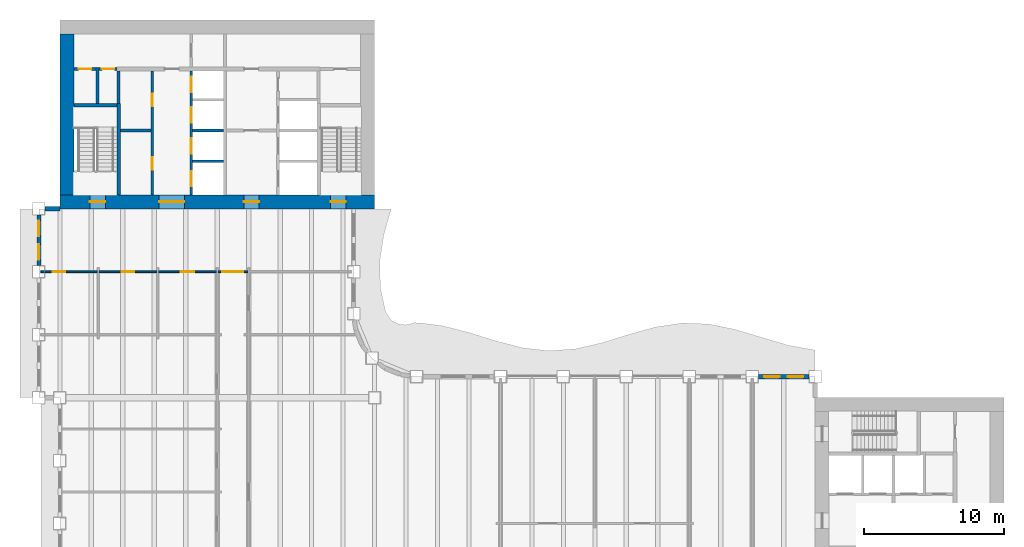
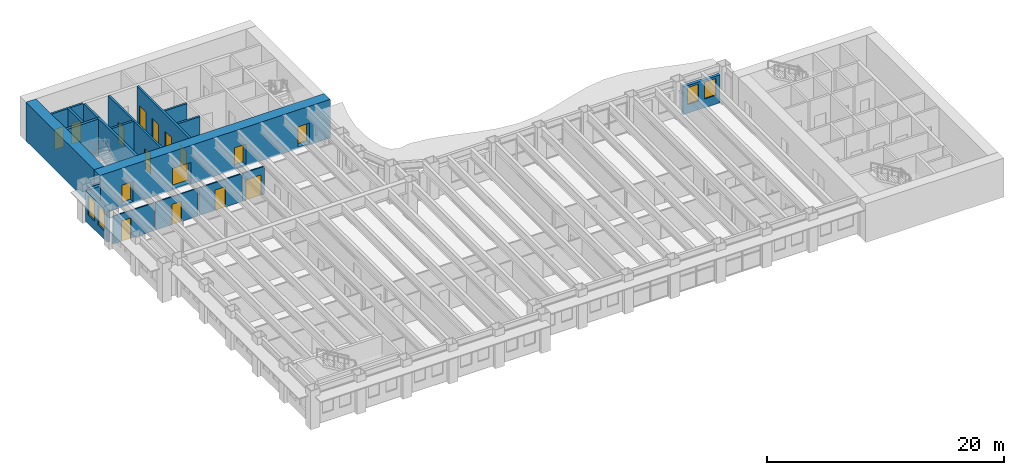
# One storey, part 9 of 17: 20 walls, 16 doors, 4 windows, 20 openings.
"""IFC4 building model written with IfcOpenShell, lengths in metres."""

from ifc_helpers import new_model, si_unit, direction, frame, frame_2d, origin, place, context, subcontext, project, spatial, rectangle, extrude, material, layer, layer_set, type_object, element, fill, save


model = new_model("IFC4")

# Units and contexts
model_context = context("Model", 3, precision=1e-05, world=origin(), true_north=direction((0.0, 1.0)))
body_context = subcontext(model_context, "Body", "Model", "MODEL_VIEW")
ifc_project = project(units=[si_unit("LENGTHUNIT", "METRE"), si_unit("AREAUNIT", "SQUARE_METRE"), si_unit("VOLUMEUNIT", "CUBIC_METRE"), si_unit("PLANEANGLEUNIT", "RADIAN"), si_unit("MASSUNIT", "GRAM", prefix="KILO")], contexts=[model_context])

# Site, building, storey
site_placement = place(None, origin())
site = spatial("IfcSite", under=ifc_project, at=site_placement, CompositionType="ELEMENT")
building_placement = place(site_placement, origin())
building = spatial("IfcBuilding", under=site, at=building_placement, Name="Sennacour Bend Tower", CompositionType="ELEMENT")
storey_placement = place(building_placement, frame((0.0, 0.0, 151.0)))
storey = spatial("IfcBuildingStorey", under=building, at=storey_placement, Name="L34", CompositionType="ELEMENT", Elevation=151.0)

# Wall, openings, doors
ifc_material_1 = material(Name="Concrete C60/75", Category="concrete")
ifc_layer_1 = layer(ifc_material_1, 1.0, Name="Concrete C60/75", Category="concrete")
ifc_layer_set_1 = layer_set([ifc_layer_1], Name="Concrete C60/75")
wall_type_1 = type_object("IfcWallType", Name="Core wall 1000 C60/75", PredefinedType="SHEAR", material=ifc_layer_set_1)
wall_1_placement = place(storey_placement, frame((0.0, 36.5, -0.14990234375), z_axis=(0.0, 0.0, 1.0), x_axis=(1.0, 0.0, 0.0)))
wall_1 = element("IfcWall", 1, at=wall_1_placement, inside=storey, type_object=wall_type_1, Name="Core B wall L34 S", PredefinedType="SHEAR", context=body_context, shape_type="SweptSolid", body=[
    extrude(rectangle(XDim=22.5, YDim=1.0, at=frame_2d((11.25, 0.0))), origin(), (0.0, 0.0, 1.0), 4.0),
])
opening_1_placement = place(wall_1_placement, frame((7.10009765625, 0.0, 0.14990234375)))
opening_1 = element("IfcOpeningElement", 2, at=opening_1_placement, cuts=wall_1, Name="Opening CD", PredefinedType="OPENING", context=body_context, shape_type="SweptSolid", body=[
    extrude(rectangle(XDim=1.800048828125, YDim=2.10009765625, at=frame_2d((0.89990234375, 1.050048828125))), frame((0.0, 0.510009765625, 0.0), z_axis=(0.0, -1.0, 0.0), x_axis=(1.0, 0.0, 0.0)), (0.0, 0.0, 1.0), 1.02001953125),
])
opening_2_placement = place(wall_1_placement, frame((13.14990234375, 0.0, 0.14990234375)))
opening_2 = element("IfcOpeningElement", 3, at=opening_2_placement, cuts=wall_1, Name="Opening FD", PredefinedType="OPENING", context=body_context, shape_type="SweptSolid", body=[
    extrude(rectangle(XDim=1.10009765625, YDim=2.10009765625, at=frame_2d((0.550048828125, 1.050048828125))), frame((0.0, 0.510009765625, 0.0), z_axis=(0.0, -1.0, 0.0), x_axis=(1.0, 0.0, 0.0)), (0.0, 0.0, 1.0), 1.02001953125),
])
opening_3_placement = place(wall_1_placement, frame((2.14990234375, 0.0, 0.14990234375)))
opening_3 = element("IfcOpeningElement", 4, at=opening_3_placement, cuts=wall_1, Name="Opening SD", PredefinedType="OPENING", context=body_context, shape_type="SweptSolid", body=[
    extrude(rectangle(XDim=1.10009765625, YDim=2.10009765625, at=frame_2d((0.550048828125, 1.050048828125))), frame((0.0, 0.510009765625, 0.0), z_axis=(0.0, -1.0, 0.0), x_axis=(1.0, 0.0, 0.0)), (0.0, 0.0, 1.0), 1.02001953125),
])
opening_4_placement = place(wall_1_placement, frame((19.35009765625, 0.0, 0.14990234375)))
opening_4 = element("IfcOpeningElement", 5, at=opening_4_placement, cuts=wall_1, Name="Opening SD", PredefinedType="OPENING", context=body_context, shape_type="SweptSolid", body=[
    extrude(rectangle(XDim=1.10009765625, YDim=2.10009765625, at=frame_2d((0.550048828125, 1.050048828125))), frame((0.0, 0.510009765625, 0.0), z_axis=(0.0, -1.0, 0.0), x_axis=(1.0, 0.0, 0.0)), (0.0, 0.0, 1.0), 1.02001953125),
])
ifc_material_2 = material(Name="Painted steel", Category="steel")
door_type_1 = type_object("IfcDoorType", Name="DR-FFL-1100", OperationType="NOTDEFINED", PredefinedType="DOOR", material=ifc_material_2)
door_1_placement = place(opening_2_placement, origin())
door_1 = element("IfcDoor", 6, at=door_1_placement, inside=storey, type_object=door_type_1, Name="Door", OperationType="SINGLE_SWING_RIGHT", OverallHeight=2.10009765625, OverallWidth=1.10009765625, PredefinedType="DOOR", context=body_context, shape_type="SweptSolid", body=[
    extrude(rectangle(XDim=1.10009765625, YDim=2.10009765625, at=frame_2d((0.550048828125, 1.050048828125))), frame((0.0, 0.02490234375, 0.0), z_axis=(0.0, -1.0, 0.0), x_axis=(1.0, 0.0, 0.0)), (0.0, 0.0, 1.0), 0.050048828125),
])
fill(opening_2, door_1)
door_type_2 = type_object("IfcDoorType", Name="DR-LOBBY-1800", OperationType="NOTDEFINED", PredefinedType="DOOR", material=ifc_material_2)
door_2_placement = place(opening_1_placement, origin())
door_2 = element("IfcDoor", 7, at=door_2_placement, inside=storey, type_object=door_type_2, Name="Door", OperationType="DOUBLE_DOOR_SINGLE_SWING", OverallHeight=2.10009765625, OverallWidth=1.800048828125, PredefinedType="DOOR", context=body_context, shape_type="SweptSolid", body=[
    extrude(rectangle(XDim=1.800048828125, YDim=2.10009765625, at=frame_2d((0.89990234375, 1.050048828125))), frame((0.0, 0.02490234375, 0.0), z_axis=(0.0, -1.0, 0.0), x_axis=(1.0, 0.0, 0.0)), (0.0, 0.0, 1.0), 0.050048828125),
])
fill(opening_1, door_2)
door_type_3 = type_object("IfcDoorType", Name="DR-STAIR-1100", OperationType="NOTDEFINED", PredefinedType="DOOR", material=ifc_material_2)
door_3_placement = place(opening_3_placement, origin())
door_3 = element("IfcDoor", 8, at=door_3_placement, inside=storey, type_object=door_type_3, Name="Door", OperationType="SINGLE_SWING_LEFT", OverallHeight=2.10009765625, OverallWidth=1.10009765625, PredefinedType="DOOR", context=body_context, shape_type="SweptSolid", body=[
    extrude(rectangle(XDim=1.10009765625, YDim=2.10009765625, at=frame_2d((0.550048828125, 1.050048828125))), frame((0.0, 0.02490234375, 0.0), z_axis=(0.0, -1.0, 0.0), x_axis=(1.0, 0.0, 0.0)), (0.0, 0.0, 1.0), 0.050048828125),
])
fill(opening_3, door_3)
door_4_placement = place(opening_4_placement, origin())
door_4 = element("IfcDoor", 9, at=door_4_placement, inside=storey, type_object=door_type_3, Name="Door", OperationType="SINGLE_SWING_RIGHT", OverallHeight=2.10009765625, OverallWidth=1.10009765625, PredefinedType="DOOR", context=body_context, shape_type="SweptSolid", body=[
    extrude(rectangle(XDim=1.10009765625, YDim=2.10009765625, at=frame_2d((0.550048828125, 1.050048828125))), frame((0.0, 0.02490234375, 0.0), z_axis=(0.0, -1.0, 0.0), x_axis=(1.0, 0.0, 0.0)), (0.0, 0.0, 1.0), 0.050048828125),
])
fill(opening_4, door_4)

# Wall
wall_2_placement = place(storey_placement, frame((0.5, 37.0, -0.14990234375), z_axis=(0.0, 0.0, 1.0), x_axis=(0.0, 1.0, 0.0)))
element("IfcWall", 10, at=wall_2_placement, inside=storey, type_object=wall_type_1, Name="Core B wall L34 W", PredefinedType="SHEAR", context=body_context, shape_type="SweptSolid", body=[
    extrude(rectangle(XDim=11.5, YDim=1.0, at=frame_2d((5.75, 0.0))), origin(), (0.0, 0.0, 1.0), 4.0),
])

# Wall, opening, door
ifc_material_3 = material(Name="Plasterboard partition on steel studs", Category="steel")
ifc_layer_2 = layer(ifc_material_3, 0.1201171875, Name="Plasterboard partition on steel studs", Category="steel")
ifc_layer_set_2 = layer_set([ifc_layer_2], Name="Plasterboard partition on steel studs")
wall_type_2 = type_object("IfcWallType", Name="Partition 120", PredefinedType="PARTITIONING", material=ifc_layer_set_2)
wall_3_placement = place(storey_placement, frame((-1.35009765625, 31.5, 0.0), z_axis=(0.0, 0.0, 1.0), x_axis=(1.0, 0.0, 0.0)))
wall_3 = element("IfcWall", 11, at=wall_3_placement, inside=storey, type_object=wall_type_2, Name="P-L34-W075aa", PredefinedType="PARTITIONING", context=body_context, shape_type="SweptSolid", body=[
    extrude(rectangle(XDim=4.0400390625, YDim=0.1201171875, at=frame_2d((2.02001953125, 0.0))), origin(), (0.0, 0.0, 1.0), 2.8701171875),
])
opening_5_placement = place(wall_3_placement, frame((0.85009765625, 0.0, 0.0)))
opening_5 = element("IfcOpeningElement", 12, at=opening_5_placement, cuts=wall_3, Name="Opening WD", PredefinedType="OPENING", context=body_context, shape_type="SweptSolid", body=[
    extrude(rectangle(XDim=0.89990234375, YDim=2.10009765625, at=frame_2d((0.449951171875, 1.050048828125))), frame((0.0, 0.070068359375, 0.0), z_axis=(0.0, -1.0, 0.0), x_axis=(1.0, 0.0, 0.0)), (0.0, 0.0, 1.0), 0.14013671875),
])
ifc_material_4 = material(Name="Timber", Category="wood")
door_type_4 = type_object("IfcDoorType", Name="DR-WC-900", OperationType="NOTDEFINED", PredefinedType="DOOR", material=ifc_material_4)
door_5_placement = place(opening_5_placement, origin())
door_5 = element("IfcDoor", 13, at=door_5_placement, inside=storey, type_object=door_type_4, Name="Door", OperationType="SINGLE_SWING_LEFT", OverallHeight=2.10009765625, OverallWidth=0.89990234375, PredefinedType="DOOR", context=body_context, shape_type="SweptSolid", body=[
    extrude(rectangle(XDim=0.89990234375, YDim=2.10009765625, at=frame_2d((0.449951171875, 1.050048828125))), frame((0.0, 0.02490234375, 0.0), z_axis=(0.0, -1.0, 0.0), x_axis=(1.0, 0.0, 0.0)), (0.0, 0.0, 1.0), 0.050048828125),
])
fill(opening_5, door_5)

wall_4_placement = place(storey_placement, frame((2.81005859375, 31.5, 0.0), z_axis=(0.0, 0.0, 1.0), x_axis=(1.0, 0.0, 0.0)))
wall_4 = element("IfcWall", 14, at=wall_4_placement, inside=storey, type_object=wall_type_2, Name="P-L34-W075ab", PredefinedType="PARTITIONING", context=body_context, shape_type="SweptSolid", body=[
    extrude(rectangle(XDim=4.1298828125, YDim=0.1201171875, at=frame_2d((2.06494140625, 0.0))), origin(), (0.0, 0.0, 1.0), 2.8701171875),
])
opening_6_placement = place(wall_4_placement, frame((1.614990234375, 0.0, 0.0)))
opening_6 = element("IfcOpeningElement", 15, at=opening_6_placement, cuts=wall_4, Name="Opening WD", PredefinedType="OPENING", context=body_context, shape_type="SweptSolid", body=[
    extrude(rectangle(XDim=0.89990234375, YDim=2.10009765625, at=frame_2d((0.449951171875, 1.050048828125))), frame((0.0, 0.070068359375, 0.0), z_axis=(0.0, -1.0, 0.0), x_axis=(1.0, 0.0, 0.0)), (0.0, 0.0, 1.0), 0.14013671875),
])
door_6_placement = place(opening_6_placement, origin())
door_6 = element("IfcDoor", 16, at=door_6_placement, inside=storey, type_object=door_type_4, Name="Door", OperationType="SINGLE_SWING_LEFT", OverallHeight=2.10009765625, OverallWidth=0.89990234375, PredefinedType="DOOR", context=body_context, shape_type="SweptSolid", body=[
    extrude(rectangle(XDim=0.89990234375, YDim=2.10009765625, at=frame_2d((0.449951171875, 1.050048828125))), frame((0.0, 0.02490234375, 0.0), z_axis=(0.0, -1.0, 0.0), x_axis=(1.0, 0.0, 0.0)), (0.0, 0.0, 1.0), 0.050048828125),
])
fill(opening_6, door_6)

wall_5_placement = place(storey_placement, frame((7.06005859375, 31.5, 0.0), z_axis=(0.0, 0.0, 1.0), x_axis=(1.0, 0.0, 0.0)))
wall_5 = element("IfcWall", 17, at=wall_5_placement, inside=storey, type_object=wall_type_2, Name="P-L34-W075ac", PredefinedType="PARTITIONING", context=body_context, shape_type="SweptSolid", body=[
    extrude(rectangle(XDim=4.1298828125, YDim=0.1201171875, at=frame_2d((2.06494140625, 0.0))), origin(), (0.0, 0.0, 1.0), 2.8701171875),
])
opening_7_placement = place(wall_5_placement, frame((1.56494140625, 0.0, 0.0)))
opening_7 = element("IfcOpeningElement", 18, at=opening_7_placement, cuts=wall_5, Name="Opening AD", PredefinedType="OPENING", context=body_context, shape_type="SweptSolid", body=[
    extrude(rectangle(XDim=1.0, YDim=2.10009765625, at=frame_2d((0.5, 1.050048828125))), frame((0.0, 0.070068359375, 0.0), z_axis=(0.0, -1.0, 0.0), x_axis=(1.0, 0.0, 0.0)), (0.0, 0.0, 1.0), 0.14013671875),
])
door_type_5 = type_object("IfcDoorType", Name="DR-ACC-WC-1000", OperationType="NOTDEFINED", PredefinedType="DOOR", material=ifc_material_4)
door_7_placement = place(opening_7_placement, origin())
door_7 = element("IfcDoor", 19, at=door_7_placement, inside=storey, type_object=door_type_5, Name="Door", OperationType="SINGLE_SWING_LEFT", OverallHeight=2.10009765625, OverallWidth=1.0, PredefinedType="DOOR", context=body_context, shape_type="SweptSolid", body=[
    extrude(rectangle(XDim=1.0, YDim=2.10009765625, at=frame_2d((0.5, 1.050048828125))), frame((0.0, 0.02490234375, 0.0), z_axis=(0.0, -1.0, 0.0), x_axis=(1.0, 0.0, 0.0)), (0.0, 0.0, 1.0), 0.050048828125),
])
fill(opening_7, door_7)

ifc_layer_3 = layer(ifc_material_3, 0.1201171875, Name="Plasterboard partition on steel studs", Category="steel")
ifc_layer_set_3 = layer_set([ifc_layer_3], Name="Plasterboard partition on steel studs")
wall_type_3 = type_object("IfcWallType", Name="Partition 120 EI 30", PredefinedType="PARTITIONING", material=ifc_layer_set_3)
wall_6_placement = place(storey_placement, frame((11.31005859375, 31.5, 0.0), z_axis=(0.0, 0.0, 1.0), x_axis=(1.0, 0.0, 0.0)))
wall_6 = element("IfcWall", 20, at=wall_6_placement, inside=storey, type_object=wall_type_3, Name="P-L34-W075ad", PredefinedType="PARTITIONING", context=body_context, shape_type="SweptSolid", body=[
    extrude(rectangle(XDim=2.1298828125, YDim=0.1201171875, at=frame_2d((1.06494140625, 0.0))), origin(), (0.0, 0.0, 1.0), 2.8701171875),
])
opening_8_placement = place(wall_6_placement, frame((0.31494140625, 0.0, 0.0)))
opening_8 = element("IfcOpeningElement", 21, at=opening_8_placement, cuts=wall_6, Name="Opening KD", PredefinedType="OPENING", context=body_context, shape_type="SweptSolid", body=[
    extrude(rectangle(XDim=1.5, YDim=2.10009765625, at=frame_2d((0.75, 1.050048828125))), frame((0.0, 0.070068359375, 0.0), z_axis=(0.0, -1.0, 0.0), x_axis=(1.0, 0.0, 0.0)), (0.0, 0.0, 1.0), 0.14013671875),
])
door_type_6 = type_object("IfcDoorType", Name="DR-CORRIDOR-1500", OperationType="NOTDEFINED", PredefinedType="DOOR", material=ifc_material_2)
door_8_placement = place(opening_8_placement, origin())
door_8 = element("IfcDoor", 22, at=door_8_placement, inside=storey, type_object=door_type_6, Name="Door", OperationType="SINGLE_SWING_LEFT", OverallHeight=2.10009765625, OverallWidth=1.5, PredefinedType="DOOR", context=body_context, shape_type="SweptSolid", body=[
    extrude(rectangle(XDim=1.5, YDim=2.10009765625, at=frame_2d((0.75, 1.050048828125))), frame((0.0, 0.02490234375, 0.0), z_axis=(0.0, -1.0, 0.0), x_axis=(1.0, 0.0, 0.0)), (0.0, 0.0, 1.0), 0.050048828125),
])
fill(opening_8, door_8)

# Walls
ifc_material_5 = material(Name="Fire-rated plasterboard partition on steel studs", Category="steel")
ifc_layer_4 = layer(ifc_material_5, 0.199951171875, Name="Fire-rated plasterboard partition on steel studs", Category="steel")
ifc_layer_set_4 = layer_set([ifc_layer_4], Name="Fire-rated plasterboard partition on steel studs")
wall_type_4 = type_object("IfcWallType", Name="Rated partition 200", PredefinedType="PARTITIONING", material=ifc_layer_set_4)
wall_7_placement = place(storey_placement, frame((2.699951171875, 43.52490234375, 0.0), z_axis=(0.0, 0.0, 1.0), x_axis=(0.0, 1.0, 0.0)))
element("IfcWall", 23, at=wall_7_placement, inside=storey, type_object=wall_type_4, Name="P-L34-W004", PredefinedType="PARTITIONING", context=body_context, shape_type="SweptSolid", body=[
    extrude(rectangle(XDim=2.5751953125, YDim=0.199951171875, at=frame_2d((1.28759765625, 0.0))), origin(), (0.0, 0.0, 1.0), 3.85009765625),
])
wall_8_placement = place(storey_placement, frame((4.199951171875, 43.52490234375, 0.0), z_axis=(0.0, 0.0, 1.0), x_axis=(0.0, 1.0, 0.0)))
element("IfcWall", 24, at=wall_8_placement, inside=storey, type_object=wall_type_4, Name="P-L34-W007", PredefinedType="PARTITIONING", context=body_context, shape_type="SweptSolid", body=[
    extrude(rectangle(XDim=2.3251953125, YDim=0.199951171875, at=frame_2d((1.16259765625, 0.0))), origin(), (0.0, 0.0, 1.0), 3.85009765625),
])

# Wall, openings, doors
wall_9_placement = place(storey_placement, frame((6.60009765625, 37.0, 0.0), z_axis=(0.0, 0.0, 1.0), x_axis=(0.0, 1.0, 0.0)))
wall_9 = element("IfcWall", 25, at=wall_9_placement, inside=storey, type_object=wall_type_4, Name="P-L34-W008", PredefinedType="PARTITIONING", context=body_context, shape_type="SweptSolid", body=[
    extrude(rectangle(XDim=8.85009765625, YDim=0.199951171875, at=frame_2d((4.425048828125, 0.0))), origin(), (0.0, 0.0, 1.0), 3.85009765625),
])
opening_9_placement = place(wall_9_placement, frame((1.800048828125, 0.0, 0.0)))
opening_9 = element("IfcOpeningElement", 26, at=opening_9_placement, cuts=wall_9, Name="Opening SV", PredefinedType="OPENING", context=body_context, shape_type="SweptSolid", body=[
    extrude(rectangle(XDim=0.89990234375, YDim=2.10009765625, at=frame_2d((0.449951171875, 1.050048828125))), frame((0.0, 0.10986328125, 0.0), z_axis=(0.0, -1.0, 0.0), x_axis=(1.0, 0.0, 0.0)), (0.0, 0.0, 1.0), 0.219970703125),
])
opening_10_placement = place(wall_9_placement, frame((6.324951171875, 0.0, 0.0)))
opening_10 = element("IfcOpeningElement", 27, at=opening_10_placement, cuts=wall_9, Name="Opening SV", PredefinedType="OPENING", context=body_context, shape_type="SweptSolid", body=[
    extrude(rectangle(XDim=0.89990234375, YDim=2.10009765625, at=frame_2d((0.449951171875, 1.050048828125))), frame((0.0, 0.10986328125, 0.0), z_axis=(0.0, -1.0, 0.0), x_axis=(1.0, 0.0, 0.0)), (0.0, 0.0, 1.0), 0.219970703125),
])
door_type_7 = type_object("IfcDoorType", Name="DR-SERVICE-900", OperationType="NOTDEFINED", PredefinedType="DOOR", material=ifc_material_2)
door_9_placement = place(opening_9_placement, origin())
door_9 = element("IfcDoor", 28, at=door_9_placement, inside=storey, type_object=door_type_7, Name="Door", OperationType="SINGLE_SWING_LEFT", OverallHeight=2.10009765625, OverallWidth=0.89990234375, PredefinedType="DOOR", context=body_context, shape_type="SweptSolid", body=[
    extrude(rectangle(XDim=0.89990234375, YDim=2.10009765625, at=frame_2d((0.449951171875, 1.050048828125))), frame((0.0, 0.02490234375, 0.0), z_axis=(0.0, -1.0, 0.0), x_axis=(1.0, 0.0, 0.0)), (0.0, 0.0, 1.0), 0.050048828125),
])
fill(opening_9, door_9)
door_10_placement = place(opening_10_placement, origin())
door_10 = element("IfcDoor", 29, at=door_10_placement, inside=storey, type_object=door_type_7, Name="Door", OperationType="SINGLE_SWING_RIGHT", OverallHeight=2.10009765625, OverallWidth=0.89990234375, PredefinedType="DOOR", context=body_context, shape_type="SweptSolid", body=[
    extrude(rectangle(XDim=0.89990234375, YDim=2.10009765625, at=frame_2d((0.449951171875, 1.050048828125))), frame((0.0, 0.02490234375, 0.0), z_axis=(0.0, -1.0, 0.0), x_axis=(1.0, 0.0, 0.0)), (0.0, 0.0, 1.0), 0.050048828125),
])
fill(opening_10, door_10)

# Wall
wall_10_placement = place(storey_placement, frame((4.324951171875, 41.60009765625, 0.0), z_axis=(0.0, 0.0, 1.0), x_axis=(1.0, 0.0, 0.0)))
element("IfcWall", 30, at=wall_10_placement, inside=storey, type_object=wall_type_4, Name="P-L34-W079", PredefinedType="PARTITIONING", context=body_context, shape_type="SweptSolid", body=[
    extrude(rectangle(XDim=2.175048828125, YDim=0.199951171875, at=frame_2d((1.08740234375, 0.0))), origin(), (0.0, 0.0, 1.0), 3.85009765625),
])

# Wall, opening, door
wall_11_placement = place(storey_placement, frame((1.0, 46.0, 0.0), z_axis=(0.0, 0.0, 1.0), x_axis=(1.0, 0.0, 0.0)))
wall_11 = element("IfcWall", 31, at=wall_11_placement, inside=storey, type_object=wall_type_4, Name="P-L34-W087a", PredefinedType="PARTITIONING", context=body_context, shape_type="SweptSolid", body=[
    extrude(rectangle(XDim=1.60009765625, YDim=0.199951171875, at=frame_2d((0.800048828125, 0.0))), origin(), (0.0, 0.0, 1.0), 3.85009765625),
])
opening_11_placement = place(wall_11_placement, frame((0.35009765625, 0.0, 0.0)))
opening_11 = element("IfcOpeningElement", 32, at=opening_11_placement, cuts=wall_11, Name="Opening SV", PredefinedType="OPENING", context=body_context, shape_type="SweptSolid", body=[
    extrude(rectangle(XDim=0.89990234375, YDim=2.10009765625, at=frame_2d((0.449951171875, 1.050048828125))), frame((0.0, 0.10986328125, 0.0), z_axis=(0.0, -1.0, 0.0), x_axis=(1.0, 0.0, 0.0)), (0.0, 0.0, 1.0), 0.219970703125),
])
door_11_placement = place(opening_11_placement, origin())
door_11 = element("IfcDoor", 33, at=door_11_placement, inside=storey, type_object=door_type_7, Name="Door", OperationType="SINGLE_SWING_LEFT", OverallHeight=2.10009765625, OverallWidth=0.89990234375, PredefinedType="DOOR", context=body_context, shape_type="SweptSolid", body=[
    extrude(rectangle(XDim=0.89990234375, YDim=2.10009765625, at=frame_2d((0.449951171875, 1.050048828125))), frame((0.0, 0.02490234375, 0.0), z_axis=(0.0, -1.0, 0.0), x_axis=(1.0, 0.0, 0.0)), (0.0, 0.0, 1.0), 0.050048828125),
])
fill(opening_11, door_11)

wall_12_placement = place(storey_placement, frame((2.800048828125, 46.0, 0.0), z_axis=(0.0, 0.0, 1.0), x_axis=(1.0, 0.0, 0.0)))
wall_12 = element("IfcWall", 34, at=wall_12_placement, inside=storey, type_object=wall_type_4, Name="P-L34-W087b", PredefinedType="PARTITIONING", context=body_context, shape_type="SweptSolid", body=[
    extrude(rectangle(XDim=1.300048828125, YDim=0.199951171875, at=frame_2d((0.64990234375, 0.0))), origin(), (0.0, 0.0, 1.0), 3.85009765625),
])
opening_12_placement = place(wall_12_placement, frame((0.199951171875, 0.0, 0.0)))
opening_12 = element("IfcOpeningElement", 35, at=opening_12_placement, cuts=wall_12, Name="Opening SV", PredefinedType="OPENING", context=body_context, shape_type="SweptSolid", body=[
    extrude(rectangle(XDim=0.89990234375, YDim=2.10009765625, at=frame_2d((0.449951171875, 1.050048828125))), frame((0.0, 0.10986328125, 0.0), z_axis=(0.0, -1.0, 0.0), x_axis=(1.0, 0.0, 0.0)), (0.0, 0.0, 1.0), 0.219970703125),
])
door_12_placement = place(opening_12_placement, origin())
door_12 = element("IfcDoor", 36, at=door_12_placement, inside=storey, type_object=door_type_7, Name="Door", OperationType="SINGLE_SWING_LEFT", OverallHeight=2.10009765625, OverallWidth=0.89990234375, PredefinedType="DOOR", context=body_context, shape_type="SweptSolid", body=[
    extrude(rectangle(XDim=0.89990234375, YDim=2.10009765625, at=frame_2d((0.449951171875, 1.050048828125))), frame((0.0, 0.02490234375, 0.0), z_axis=(0.0, -1.0, 0.0), x_axis=(1.0, 0.0, 0.0)), (0.0, 0.0, 1.0), 0.050048828125),
])
fill(opening_12, door_12)

# Wall, openings, windows
ifc_material_6 = material(Name="Warm limestone cladding", Category="masonry")
ifc_layer_5 = layer(ifc_material_6, 0.050048828125, Name="Warm limestone cladding", Category="masonry")
ifc_material_7 = material(Name="Precast concrete C40/50", Category="concrete")
ifc_layer_6 = layer(ifc_material_7, 0.25, Name="Precast concrete C40/50", Category="concrete")
ifc_layer_set_5 = layer_set([ifc_layer_5, ifc_layer_6], Name="Precast concrete C40/50 with limestone cladding")
wall_type_5 = type_object("IfcWallType", Name="STONE-CLAD PRECAST SPANDREL 300", PredefinedType="STANDARD", material=ifc_layer_set_5)
wall_13_placement = place(storey_placement, frame((53.550048828125, 24.0, 0.0), z_axis=(0.0, 0.0, 1.0), x_axis=(-1.0, 0.0, 0.0)))
wall_13 = element("IfcWall", 37, at=wall_13_placement, inside=storey, type_object=wall_type_5, Name="Stone spandrel and pier wall L34 08.00", PredefinedType="STANDARD", context=body_context, shape_type="SweptSolid", body=[
    extrude(rectangle(XDim=3.60009765625, YDim=0.300048828125, at=frame_2d((1.800048828125, 0.0))), origin(), (0.0, 0.0, 1.0), 2.8701171875),
])
opening_13_placement = place(wall_13_placement, frame((0.39990234375, 0.0, 0.89990234375)))
opening_13 = element("IfcOpeningElement", 38, at=opening_13_placement, cuts=wall_13, Name="Opening W17", PredefinedType="OPENING", context=body_context, shape_type="SweptSolid", body=[
    extrude(rectangle(XDim=1.10009765625, YDim=1.75, at=frame_2d((0.550048828125, 0.875))), frame((0.0, 0.16015625, 0.0), z_axis=(0.0, -1.0, 0.0), x_axis=(1.0, 0.0, 0.0)), (0.0, 0.0, 1.0), 0.320068359375),
])
opening_14_placement = place(wall_13_placement, frame((2.10009765625, 0.0, 0.89990234375)))
opening_14 = element("IfcOpeningElement", 39, at=opening_14_placement, cuts=wall_13, Name="Opening W17", PredefinedType="OPENING", context=body_context, shape_type="SweptSolid", body=[
    extrude(rectangle(XDim=1.10009765625, YDim=1.75, at=frame_2d((0.550048828125, 0.875))), frame((0.0, 0.16015625, 0.0), z_axis=(0.0, -1.0, 0.0), x_axis=(1.0, 0.0, 0.0)), (0.0, 0.0, 1.0), 0.320068359375),
])
ifc_material_8 = material(Name="Clear low-emissivity glass", Category="glass")
window_type_1 = type_object("IfcWindowType", Name="WIN-RIBBON-1100x1750", PartitioningType="SINGLE_PANEL", PredefinedType="WINDOW", material=ifc_material_8)
window_1_placement = place(opening_13_placement, origin())
window_1 = element("IfcWindow", 40, at=window_1_placement, inside=storey, type_object=window_type_1, Name="Ribbon window L34 08.00.0", OverallHeight=1.75, OverallWidth=1.10009765625, PartitioningType="SINGLE_PANEL", PredefinedType="WINDOW", context=body_context, shape_type="SweptSolid", body=[
    extrude(rectangle(XDim=1.10009765625, YDim=1.75, at=frame_2d((0.550048828125, 0.875))), frame((0.0, 0.030029296875, 0.0), z_axis=(0.0, -1.0, 0.0), x_axis=(1.0, 0.0, 0.0)), (0.0, 0.0, 1.0), 0.06005859375),
])
fill(opening_13, window_1)
window_2_placement = place(opening_14_placement, origin())
window_2 = element("IfcWindow", 41, at=window_2_placement, inside=storey, type_object=window_type_1, Name="Ribbon window L34 08.00.1", OverallHeight=1.75, OverallWidth=1.10009765625, PartitioningType="SINGLE_PANEL", PredefinedType="WINDOW", context=body_context, shape_type="SweptSolid", body=[
    extrude(rectangle(XDim=1.10009765625, YDim=1.75, at=frame_2d((0.550048828125, 0.875))), frame((0.0, 0.030029296875, 0.0), z_axis=(0.0, -1.0, 0.0), x_axis=(1.0, 0.0, 0.0)), (0.0, 0.0, 1.0), 0.06005859375),
])
fill(opening_14, window_2)

# Wall
wall_14_placement = place(storey_placement, frame((0.0, 36.0, 0.0), z_axis=(0.0, 0.0, 1.0), x_axis=(-1.0, 0.0, 0.0)))
element("IfcWall", 42, at=wall_14_placement, inside=storey, type_object=wall_type_5, Name="Stone spandrel and pier wall L34 20.00", PredefinedType="STANDARD", context=body_context, shape_type="SweptSolid", body=[
    extrude(rectangle(XDim=1.050048828125, YDim=0.300048828125, at=frame_2d((0.52490234375, 0.0))), origin(), (0.0, 0.0, 1.0), 2.8701171875),
])

# Wall, openings, windows
wall_15_placement = place(storey_placement, frame((-1.5, 35.550048828125, 0.0), z_axis=(0.0, 0.0, 1.0), x_axis=(0.0, -1.0, 0.0)))
wall_15 = element("IfcWall", 43, at=wall_15_placement, inside=storey, type_object=wall_type_5, Name="Stone spandrel and pier wall L34 21.00", PredefinedType="STANDARD", context=body_context, shape_type="SweptSolid", body=[
    extrude(rectangle(XDim=3.60009765625, YDim=0.300048828125, at=frame_2d((1.800048828125, 0.0))), origin(), (0.0, 0.0, 1.0), 3.14892578125),
])
opening_15_placement = place(wall_15_placement, frame((0.39990234375, 0.0, 0.89990234375)))
opening_15 = element("IfcOpeningElement", 44, at=opening_15_placement, cuts=wall_15, Name="Opening W19", PredefinedType="OPENING", context=body_context, shape_type="SweptSolid", body=[
    extrude(rectangle(XDim=1.10009765625, YDim=2.0, at=frame_2d((0.550048828125, 1.0))), frame((0.0, 0.16015625, 0.0), z_axis=(0.0, -1.0, 0.0), x_axis=(1.0, 0.0, 0.0)), (0.0, 0.0, 1.0), 0.320068359375),
])
opening_16_placement = place(wall_15_placement, frame((2.10009765625, 0.0, 0.89990234375)))
opening_16 = element("IfcOpeningElement", 45, at=opening_16_placement, cuts=wall_15, Name="Opening W19", PredefinedType="OPENING", context=body_context, shape_type="SweptSolid", body=[
    extrude(rectangle(XDim=1.10009765625, YDim=2.0, at=frame_2d((0.550048828125, 1.0))), frame((0.0, 0.16015625, 0.0), z_axis=(0.0, -1.0, 0.0), x_axis=(1.0, 0.0, 0.0)), (0.0, 0.0, 1.0), 0.320068359375),
])
window_type_2 = type_object("IfcWindowType", Name="WIN-RIBBON-1100x2000", PartitioningType="SINGLE_PANEL", PredefinedType="WINDOW", material=ifc_material_8)
window_3_placement = place(opening_15_placement, origin())
window_3 = element("IfcWindow", 46, at=window_3_placement, inside=storey, type_object=window_type_2, Name="Ribbon window L34 21.00.0", OverallHeight=2.0, OverallWidth=1.10009765625, PartitioningType="SINGLE_PANEL", PredefinedType="WINDOW", context=body_context, shape_type="SweptSolid", body=[
    extrude(rectangle(XDim=1.10009765625, YDim=2.0, at=frame_2d((0.550048828125, 1.0))), frame((0.0, 0.030029296875, 0.0), z_axis=(0.0, -1.0, 0.0), x_axis=(1.0, 0.0, 0.0)), (0.0, 0.0, 1.0), 0.06005859375),
])
fill(opening_15, window_3)
window_4_placement = place(opening_16_placement, origin())
window_4 = element("IfcWindow", 47, at=window_4_placement, inside=storey, type_object=window_type_2, Name="Ribbon window L34 21.00.1", OverallHeight=2.0, OverallWidth=1.10009765625, PartitioningType="SINGLE_PANEL", PredefinedType="WINDOW", context=body_context, shape_type="SweptSolid", body=[
    extrude(rectangle(XDim=1.10009765625, YDim=2.0, at=frame_2d((0.550048828125, 1.0))), frame((0.0, 0.030029296875, 0.0), z_axis=(0.0, -1.0, 0.0), x_axis=(1.0, 0.0, 0.0)), (0.0, 0.0, 1.0), 0.06005859375),
])
fill(opening_16, window_4)

# Wall, openings, doors
ifc_material_9 = material(Name="Concrete C50/60", Category="concrete")
ifc_layer_7 = layer(ifc_material_9, 0.199951171875, Name="Concrete C50/60", Category="concrete")
ifc_layer_set_6 = layer_set([ifc_layer_7], Name="Concrete C50/60")
wall_type_6 = type_object("IfcWallType", Name="Shaft wall 200", PredefinedType="SOLIDWALL", material=ifc_layer_set_6)
wall_16_placement = place(storey_placement, frame((9.39990234375, 37.0, 0.0), z_axis=(0.0, 0.0, 1.0), x_axis=(0.0, 1.0, 0.0)))
wall_16 = element("IfcWall", 48, at=wall_16_placement, inside=storey, type_object=wall_type_6, Name="P-L34-W011", PredefinedType="SOLIDWALL", context=body_context, shape_type="SweptSolid", body=[
    extrude(rectangle(XDim=8.85009765625, YDim=0.199951171875, at=frame_2d((4.425048828125, 0.0))), origin(), (0.0, 0.0, 1.0), 3.85009765625),
])
opening_17_placement = place(wall_16_placement, frame((0.60009765625, 0.0, 0.011962890625)))
opening_17 = element("IfcOpeningElement", 49, at=opening_17_placement, cuts=wall_16, Name="Opening LD", PredefinedType="OPENING", context=body_context, shape_type="SweptSolid", body=[
    extrude(rectangle(XDim=1.10009765625, YDim=2.10009765625, at=frame_2d((0.550048828125, 1.050048828125))), frame((0.0, 0.10986328125, 0.0), z_axis=(0.0, -1.0, 0.0), x_axis=(1.0, 0.0, 0.0)), (0.0, 0.0, 1.0), 0.219970703125),
])
opening_18_placement = place(wall_16_placement, frame((2.949951171875, 0.0, 0.011962890625)))
opening_18 = element("IfcOpeningElement", 50, at=opening_18_placement, cuts=wall_16, Name="Opening LD", PredefinedType="OPENING", context=body_context, shape_type="SweptSolid", body=[
    extrude(rectangle(XDim=1.10009765625, YDim=2.10009765625, at=frame_2d((0.550048828125, 1.050048828125))), frame((0.0, 0.10986328125, 0.0), z_axis=(0.0, -1.0, 0.0), x_axis=(1.0, 0.0, 0.0)), (0.0, 0.0, 1.0), 0.219970703125),
])
opening_19_placement = place(wall_16_placement, frame((5.14990234375, 0.0, 0.011962890625)))
opening_19 = element("IfcOpeningElement", 51, at=opening_19_placement, cuts=wall_16, Name="Opening LD", PredefinedType="OPENING", context=body_context, shape_type="SweptSolid", body=[
    extrude(rectangle(XDim=1.10009765625, YDim=2.10009765625, at=frame_2d((0.550048828125, 1.050048828125))), frame((0.0, 0.10986328125, 0.0), z_axis=(0.0, -1.0, 0.0), x_axis=(1.0, 0.0, 0.0)), (0.0, 0.0, 1.0), 0.219970703125),
])
opening_20_placement = place(wall_16_placement, frame((7.324951171875, 0.0, 0.011962890625)))
opening_20 = element("IfcOpeningElement", 52, at=opening_20_placement, cuts=wall_16, Name="Opening LD", PredefinedType="OPENING", context=body_context, shape_type="SweptSolid", body=[
    extrude(rectangle(XDim=1.10009765625, YDim=2.10009765625, at=frame_2d((0.550048828125, 1.050048828125))), frame((0.0, 0.10986328125, 0.0), z_axis=(0.0, -1.0, 0.0), x_axis=(1.0, 0.0, 0.0)), (0.0, 0.0, 1.0), 0.219970703125),
])
ifc_material_10 = material(Name="Stainless steel", Category="steel")
door_type_8 = type_object("IfcDoorType", Name="DR-LANDING-1100", OperationType="NOTDEFINED", PredefinedType="DOOR", material=ifc_material_10)
door_13_placement = place(opening_17_placement, origin())
door_13 = element("IfcDoor", 53, at=door_13_placement, inside=storey, type_object=door_type_8, Name="Lift landing door MB1", OperationType="SLIDING_TO_RIGHT", OverallHeight=2.10009765625, OverallWidth=1.10009765625, PredefinedType="DOOR", context=body_context, shape_type="SweptSolid", body=[
    extrude(rectangle(XDim=1.10009765625, YDim=2.10009765625, at=frame_2d((0.550048828125, 1.050048828125))), frame((0.0, 0.02490234375, 0.0), z_axis=(0.0, -1.0, 0.0), x_axis=(1.0, 0.0, 0.0)), (0.0, 0.0, 1.0), 0.050048828125),
])
fill(opening_17, door_13)
door_14_placement = place(opening_18_placement, origin())
door_14 = element("IfcDoor", 54, at=door_14_placement, inside=storey, type_object=door_type_8, Name="Lift landing door MB2", OperationType="SLIDING_TO_LEFT", OverallHeight=2.10009765625, OverallWidth=1.10009765625, PredefinedType="DOOR", context=body_context, shape_type="SweptSolid", body=[
    extrude(rectangle(XDim=1.10009765625, YDim=2.10009765625, at=frame_2d((0.550048828125, 1.050048828125))), frame((0.0, 0.02490234375, 0.0), z_axis=(0.0, -1.0, 0.0), x_axis=(1.0, 0.0, 0.0)), (0.0, 0.0, 1.0), 0.050048828125),
])
fill(opening_18, door_14)
door_15_placement = place(opening_19_placement, origin())
door_15 = element("IfcDoor", 55, at=door_15_placement, inside=storey, type_object=door_type_8, Name="Lift landing door MB3", OperationType="SLIDING_TO_RIGHT", OverallHeight=2.10009765625, OverallWidth=1.10009765625, PredefinedType="DOOR", context=body_context, shape_type="SweptSolid", body=[
    extrude(rectangle(XDim=1.10009765625, YDim=2.10009765625, at=frame_2d((0.550048828125, 1.050048828125))), frame((0.0, 0.02490234375, 0.0), z_axis=(0.0, -1.0, 0.0), x_axis=(1.0, 0.0, 0.0)), (0.0, 0.0, 1.0), 0.050048828125),
])
fill(opening_19, door_15)
door_16_placement = place(opening_20_placement, origin())
door_16 = element("IfcDoor", 56, at=door_16_placement, inside=storey, type_object=door_type_8, Name="Lift landing door MB4", OperationType="SLIDING_TO_LEFT", OverallHeight=2.10009765625, OverallWidth=1.10009765625, PredefinedType="DOOR", context=body_context, shape_type="SweptSolid", body=[
    extrude(rectangle(XDim=1.10009765625, YDim=2.10009765625, at=frame_2d((0.550048828125, 1.050048828125))), frame((0.0, 0.02490234375, 0.0), z_axis=(0.0, -1.0, 0.0), x_axis=(1.0, 0.0, 0.0)), (0.0, 0.0, 1.0), 0.050048828125),
])
fill(opening_20, door_16)

# Walls
for number, where, z_axis, x_axis, name in (
    (57, (9.5, 39.39990234375, 0.0), (0.0, 0.0, 1.0), (1.0, 0.0, 0.0), "P-L34-W077"),
    (58, (9.5, 41.60009765625, 0.0), (0.0, 0.0, 1.0), (1.0, 0.0, 0.0), "P-L34-W080"),
):
    element("IfcWall", number, at=place(storey_placement, frame(where, z_axis=z_axis, x_axis=x_axis)), inside=storey, type_object=wall_type_6, Name=name, PredefinedType="SOLIDWALL", context=body_context, shape_type="SweptSolid", body=[
        extrude(rectangle(XDim=2.199951171875, YDim=0.199951171875, at=frame_2d((1.10009765625, 0.0))), origin(), (0.0, 0.0, 1.0), 3.85009765625),
    ])
ifc_layer_8 = layer(ifc_material_1, 0.25, Name="Concrete C60/75", Category="concrete")
ifc_layer_set_7 = layer_set([ifc_layer_8], Name="Concrete C60/75")
wall_type_7 = type_object("IfcWallType", Name="Stair wall 250", PredefinedType="SHEAR", material=ifc_layer_set_7)
wall_17_placement = place(storey_placement, frame((4.199951171875, 37.0, 0.0), z_axis=(0.0, 0.0, 1.0), x_axis=(0.0, 1.0, 0.0)))
element("IfcWall", 59, at=wall_17_placement, inside=storey, type_object=wall_type_7, Name="P-L34-W006", PredefinedType="SHEAR", context=body_context, shape_type="SweptSolid", body=[
    extrude(rectangle(XDim=6.52490234375, YDim=0.25, at=frame_2d((3.262451171875, 0.0))), origin(), (0.0, 0.0, 1.0), 3.85009765625),
])
wall_18_placement = place(storey_placement, frame((1.0, 43.39990234375, 0.0), z_axis=(0.0, 0.0, 1.0), x_axis=(1.0, 0.0, 0.0)))
element("IfcWall", 60, at=wall_18_placement, inside=storey, type_object=wall_type_7, Name="P-L34-W083", PredefinedType="SHEAR", context=body_context, shape_type="SweptSolid", body=[
    extrude(rectangle(XDim=3.074951171875, YDim=0.25, at=frame_2d((1.53759765625, 0.0))), origin(), (0.0, 0.0, 1.0), 3.85009765625),
])

save(model, "model.ifc")
